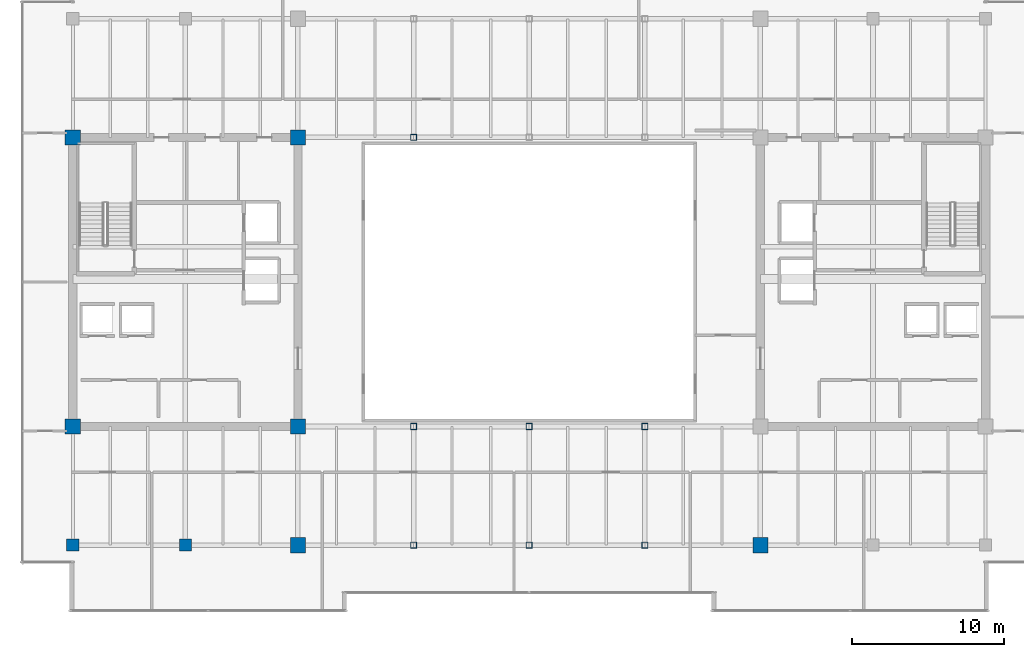
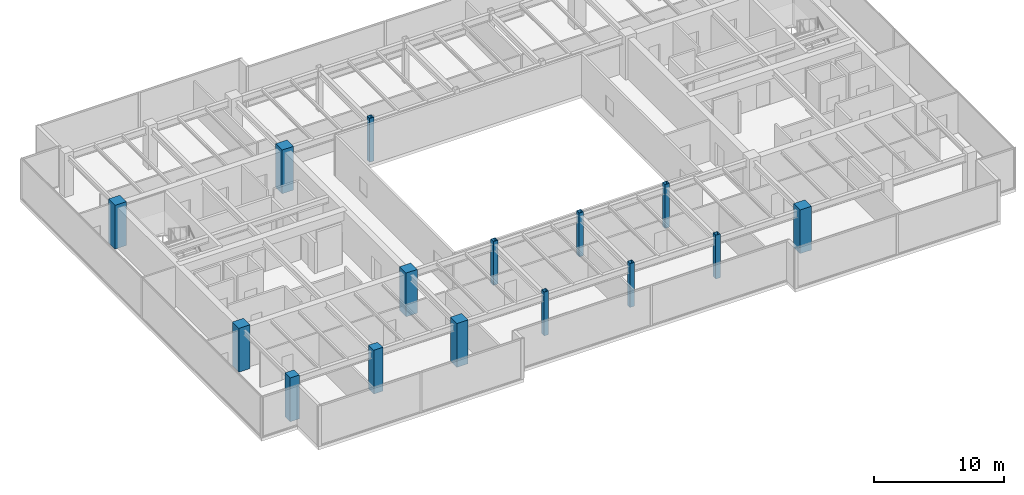
# One storey, part 1 of 33: 15 columns.
"""IFC4 building model written with IfcOpenShell, lengths in metres."""

from ifc_helpers import new_model, si_unit, direction, frame, origin, origin_2d, place, context, subcontext, project, spatial, rectangle, hollow_rectangle, extrude, source, transform, mapped, material, material_profile, profile_set, type_object, type_shapes, element, save


model = new_model("IFC4")

# Units and contexts
model_context = context("Model", 3, precision=1e-05, world=origin(), true_north=direction((0.0, 1.0)))
body_context = subcontext(model_context, "Body", "Model", "MODEL_VIEW")
ifc_project = project(units=[si_unit("LENGTHUNIT", "METRE"), si_unit("AREAUNIT", "SQUARE_METRE"), si_unit("VOLUMEUNIT", "CUBIC_METRE"), si_unit("PLANEANGLEUNIT", "RADIAN"), si_unit("MASSUNIT", "GRAM", prefix="KILO")], contexts=[model_context])

# Site, building, storey
site_placement = place(None, origin())
site = spatial("IfcSite", under=ifc_project, at=site_placement, CompositionType="ELEMENT")
building_placement = place(site_placement, origin())
building = spatial("IfcBuilding", under=site, at=building_placement, Name="Haelvirn Gate Laboratories", CompositionType="ELEMENT")
storey_placement = place(building_placement, frame((0.0, 0.0, 238.300048828125)))
storey = spatial("IfcBuildingStorey", under=building, at=storey_placement, Name="L57", CompositionType="ELEMENT", Elevation=238.300048828125)

# Columns
ifc_material_1 = material(Name="Concrete C60/75", Category="concrete")
ifc_material_profile_1 = material_profile(ifc_material_1, rectangle(XDim=1.0, YDim=1.0, at=origin_2d()), Name="RC-1000x1000")
ifc_profile_set_1 = profile_set([ifc_material_profile_1], Name="Concrete C60/75")
column_type_1 = type_object("IfcColumnType", Name="COL-RC-1000", PredefinedType="COLUMN", material=ifc_profile_set_1)
shared_shape_1 = source(origin(), body_context, "Body", "SweptSolid", [
    extrude(rectangle(XDim=1.0, YDim=1.0, at=origin_2d()), origin(), (0.0, 0.0, 1.0), 4.099853515625),
])
type_shapes(column_type_1, [shared_shape_1])
for number, where, z_axis, x_axis, name in (
    (1, (22.199951171875, 7.0, 0.0), (0.0, 0.0, 1.0), (1.0, 0.0, 0.0), "L57 Column 4B"),
    (2, (7.39990234375, 14.800048828125, 0.0), (0.0, 0.0, 1.0), (1.0, 0.0, 0.0), "L57 Column 2C"),
    (3, (22.199951171875, 14.800048828125, 0.0), (0.0, 0.0, 1.0), (1.0, 0.0, 0.0), "L57 Column 4C"),
    (4, (7.39990234375, 33.800048828125, 0.0), (0.0, 0.0, 1.0), (1.0, 0.0, 0.0), "L57 Column 2F"),
    (5, (22.199951171875, 33.800048828125, 0.0), (0.0, 0.0, 1.0), (1.0, 0.0, 0.0), "L57 Column 4F"),
    (6, (52.60009765625, 7.0, 0.0), (0.0, 0.0, 1.0), (1.0, 0.0, 0.0), "L57 Column 8B"),
):
    element("IfcColumn", number, at=place(storey_placement, frame(where, z_axis=z_axis, x_axis=x_axis)), inside=storey, type_object=column_type_1, Name=name, PredefinedType="COLUMN", context=body_context, shape_type="MappedRepresentation", body=[
        mapped(shared_shape_1, transform((0.0, 0.0, 0.0), scale=1.0)),
    ])
ifc_material_2 = material(Name="Concrete C50/60", Category="concrete")
ifc_material_profile_2 = material_profile(ifc_material_2, rectangle(XDim=0.800048828125, YDim=0.800048828125, at=origin_2d()), Name="RC-800x800")
ifc_profile_set_2 = profile_set([ifc_material_profile_2], Name="Concrete C50/60")
column_type_2 = type_object("IfcColumnType", Name="COL-RC-800", PredefinedType="COLUMN", material=ifc_profile_set_2)
shared_shape_2 = source(origin(), body_context, "Body", "SweptSolid", [
    extrude(rectangle(XDim=0.800048828125, YDim=0.800048828125, at=origin_2d()), origin(), (0.0, 0.0, 1.0), 4.099853515625),
])
type_shapes(column_type_2, [shared_shape_2])
for number, where, z_axis, x_axis, name in (
    (7, (14.800048828125, 7.0, 0.0), (0.0, 0.0, 1.0), (1.0, 0.0, 0.0), "L57 Column 3B"),
    (8, (7.39990234375, 7.0, 0.0), (0.0, 0.0, 1.0), (1.0, 0.0, 0.0), "L57 Column 2B"),
):
    element("IfcColumn", number, at=place(storey_placement, frame(where, z_axis=z_axis, x_axis=x_axis)), inside=storey, type_object=column_type_2, Name=name, PredefinedType="COLUMN", context=body_context, shape_type="MappedRepresentation", body=[
        mapped(shared_shape_2, transform((0.0, 0.0, 0.0), scale=1.0)),
    ])
ifc_material_3 = material(Name="Steel SM355", Category="steel")
ifc_material_profile_3 = material_profile(ifc_material_3, hollow_rectangle(XDim=0.39990234375, YDim=0.39990234375, WallThickness=0.01904296875, at=origin_2d()), Name="BOX-400x400x19")
ifc_profile_set_3 = profile_set([ifc_material_profile_3], Name="Steel SM355")
column_type_3 = type_object("IfcColumnType", Name="COL-BOX-400", PredefinedType="COLUMN", material=ifc_profile_set_3)
shared_shape_3 = source(origin(), body_context, "Body", "SweptSolid", [
    extrude(hollow_rectangle(XDim=0.39990234375, YDim=0.39990234375, WallThickness=0.01904296875, at=origin_2d()), origin(), (0.0, 0.0, 1.0), 4.099853515625),
])
type_shapes(column_type_3, [shared_shape_3])
for number, where, z_axis, x_axis, name in (
    (9, (29.800048828125, 7.0, 0.0), (0.0, 0.0, 1.0), (1.0, 0.0, 0.0), "L57 Column 5B"),
    (10, (29.800048828125, 14.800048828125, 0.0), (0.0, 0.0, 1.0), (1.0, 0.0, 0.0), "L57 Column 5C"),
    (11, (29.800048828125, 33.800048828125, 0.0), (0.0, 0.0, 1.0), (1.0, 0.0, 0.0), "L57 Column 5F"),
    (12, (37.39990234375, 7.0, 0.0), (0.0, 0.0, 1.0), (1.0, 0.0, 0.0), "L57 Column 6B"),
    (13, (37.39990234375, 14.800048828125, 0.0), (0.0, 0.0, 1.0), (1.0, 0.0, 0.0), "L57 Column 6C"),
    (14, (45.0, 7.0, 0.0), (0.0, 0.0, 1.0), (1.0, 0.0, 0.0), "L57 Column 7B"),
    (15, (45.0, 14.800048828125, 0.0), (0.0, 0.0, 1.0), (1.0, 0.0, 0.0), "L57 Column 7C"),
):
    element("IfcColumn", number, at=place(storey_placement, frame(where, z_axis=z_axis, x_axis=x_axis)), inside=storey, type_object=column_type_3, Name=name, PredefinedType="COLUMN", context=body_context, shape_type="MappedRepresentation", body=[
        mapped(shared_shape_3, transform((0.0, 0.0, 0.0), scale=1.0)),
    ])

save(model, "model.ifc")
